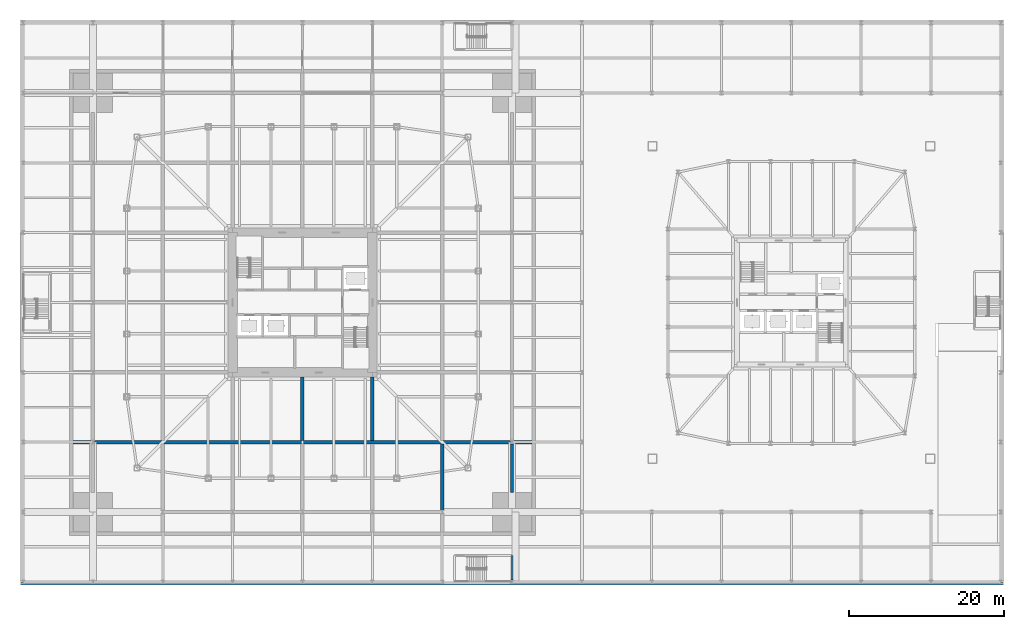
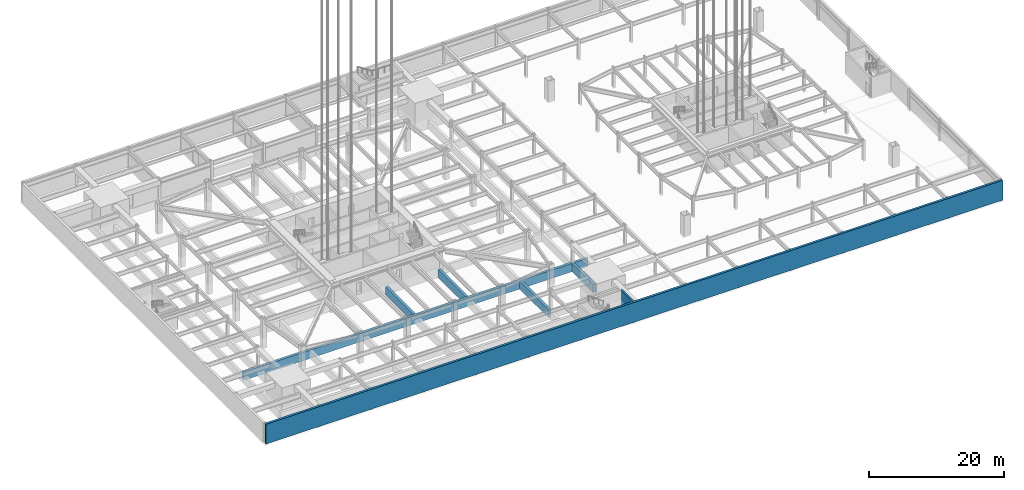
# One storey, part 11 of 35: 7 walls.
"""IFC4 building model written with IfcOpenShell, lengths in metres."""

from ifc_helpers import new_model, si_unit, direction, frame, frame_2d, origin, place, context, subcontext, project, spatial, rectangle, extrude, material, layer, layer_set, type_object, element, save


model = new_model("IFC4")

# Units and contexts
model_context = context("Model", 3, precision=1e-05, world=origin(), true_north=direction((0.0, 1.0)))
body_context = subcontext(model_context, "Body", "Model", "MODEL_VIEW")
ifc_project = project(units=[si_unit("LENGTHUNIT", "METRE"), si_unit("AREAUNIT", "SQUARE_METRE"), si_unit("VOLUMEUNIT", "CUBIC_METRE"), si_unit("PLANEANGLEUNIT", "RADIAN"), si_unit("MASSUNIT", "GRAM", prefix="KILO")], contexts=[model_context])

# Site, building, storey
site_placement = place(None, origin())
site = spatial("IfcSite", under=ifc_project, at=site_placement, CompositionType="ELEMENT")
building_placement = place(site_placement, origin())
building = spatial("IfcBuilding", under=site, at=building_placement, Name="Iwan Alto Co-Living Towers", CompositionType="ELEMENT")
storey_placement = place(building_placement, frame((0.0, 0.0, -7.199951171875)))
storey = spatial("IfcBuildingStorey", under=building, at=storey_placement, Name="B2", CompositionType="ELEMENT", Elevation=-7.199951171875)

# Walls
ifc_material_1 = material(Name="Concrete f'c 70 MPa", Category="concrete")
ifc_layer_1 = layer(ifc_material_1, 0.39990234375)
ifc_layer_set_1 = layer_set([ifc_layer_1], Name="BASEMENT RETAINING WALL 400")
wall_type_1 = type_object("IfcWallType", Name="BASEMENT RETAINING WALL 400", PredefinedType="SOLIDWALL", material=ifc_layer_set_1)
wall_1_placement = place(storey_placement, frame((-36.199951171875, -36.199951171875, 0.0), z_axis=(0.0, 0.0, 1.0), x_axis=(1.0, 0.0, 0.0)))
element("IfcWall", 1, at=wall_1_placement, inside=storey, type_object=wall_type_1, Name="Basement retaining wall S B2", PredefinedType="SOLIDWALL", context=body_context, shape_type="SweptSolid", body=[
    extrude(rectangle(XDim=126.39990234375, YDim=0.39990234375, at=frame_2d((63.199951171875, 0.0))), origin(), (0.0, 0.0, 1.0), 3.599853515625),
])
ifc_material_2 = material(Name="Concrete f'c 35 MPa", Category="concrete")
ifc_layer_2 = layer(ifc_material_2, 0.449951171875)
ifc_layer_set_2 = layer_set([ifc_layer_2], Name="BOX CELL WALL 450")
wall_type_2 = type_object("IfcWallType", Name="BOX CELL WALL 450", PredefinedType="SOLIDWALL", material=ifc_layer_set_2)
wall_2_placement = place(storey_placement, frame((-29.550048828125, -18.0, -1.800048828125), z_axis=(0.0, 0.0, 1.0), x_axis=(1.0, 0.0, 0.0)))
element("IfcWall", 2, at=wall_2_placement, inside=storey, type_object=wall_type_2, Name="T1 box cell wall on grid C", PredefinedType="SOLIDWALL", context=body_context, shape_type="SweptSolid", body=[
    extrude(rectangle(XDim=59.10009765625, YDim=0.449951171875, at=frame_2d((29.550048828125, 0.0))), origin(), (0.0, 0.0, 1.0), 1.5),
])
for number, where, z_axis, x_axis, name in (
    (3, (0.0, -17.77490234375, -1.800048828125), (0.0, 0.0, 1.0), (0.0, 1.0, 0.0), "T1 box cell wall on grid 5"),
    (4, (9.0, -17.77490234375, -1.800048828125), (0.0, 0.0, 1.0), (0.0, 1.0, 0.0), "T1 box cell wall on grid 6"),
):
    element("IfcWall", number, at=place(storey_placement, frame(where, z_axis=z_axis, x_axis=x_axis)), inside=storey, type_object=wall_type_2, Name=name, PredefinedType="SOLIDWALL", context=body_context, shape_type="SweptSolid", body=[
        extrude(rectangle(XDim=8.1748046875, YDim=0.449951171875, at=frame_2d((4.08740234375, 0.0))), origin(), (0.0, 0.0, 1.0), 1.5),
    ])
wall_3_placement = place(storey_placement, frame((18.0, -26.77490234375, -1.800048828125), z_axis=(0.0, 0.0, 1.0), x_axis=(0.0, 1.0, 0.0)))
element("IfcWall", 5, at=wall_3_placement, inside=storey, type_object=wall_type_2, Name="T1 box cell wall on grid 7", PredefinedType="SOLIDWALL", context=body_context, shape_type="SweptSolid", body=[
    extrude(rectangle(XDim=8.5498046875, YDim=0.449951171875, at=frame_2d((4.27490234375, 0.0))), origin(), (0.0, 0.0, 1.0), 1.5),
])
wall_4_placement = place(storey_placement, frame((27.0, -24.5, -1.800048828125), z_axis=(0.0, 0.0, 1.0), x_axis=(0.0, 1.0, 0.0)))
element("IfcWall", 6, at=wall_4_placement, inside=storey, type_object=wall_type_2, Name="T1 box cell wall on grid 8", PredefinedType="SOLIDWALL", context=body_context, shape_type="SweptSolid", body=[
    extrude(rectangle(XDim=6.27490234375, YDim=0.449951171875, at=frame_2d((3.137451171875, 0.0))), origin(), (0.0, 0.0, 1.0), 1.5),
])
ifc_material_3 = material(Name="Concrete f'c 70 MPa", Category="concrete")
ifc_layer_3 = layer(ifc_material_3, 0.300048828125)
ifc_layer_set_3 = layer_set([ifc_layer_3], Name="SHAFT WALL 300")
wall_type_3 = type_object("IfcWallType", Name="SHAFT WALL 300", PredefinedType="SOLIDWALL", material=ifc_layer_set_3)
wall_5_placement = place(storey_placement, frame((27.0, -35.78271484375, -0.25), z_axis=(0.0, 0.0, 1.0), x_axis=(0.0, 1.0, 0.0)))
element("IfcWall", 7, at=wall_5_placement, inside=storey, type_object=wall_type_3, Name="Shaft wall B2", PredefinedType="SOLIDWALL", context=body_context, shape_type="SweptSolid", body=[
    extrude(rectangle(XDim=3.1826171875, YDim=0.300048828125, at=frame_2d((1.59130859375, 0.0))), origin(), (0.0, 0.0, 1.0), 3.849853515625),
])

save(model, "model.ifc")
